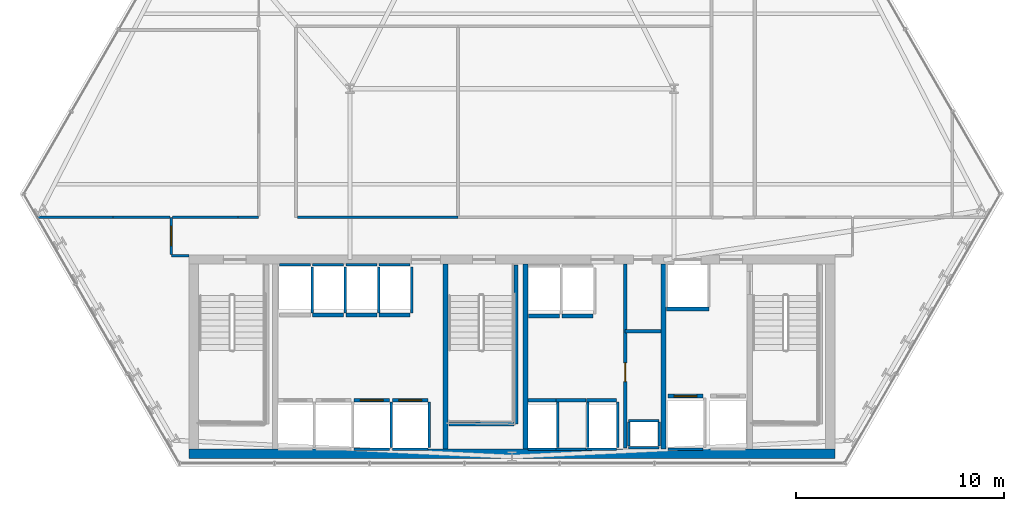
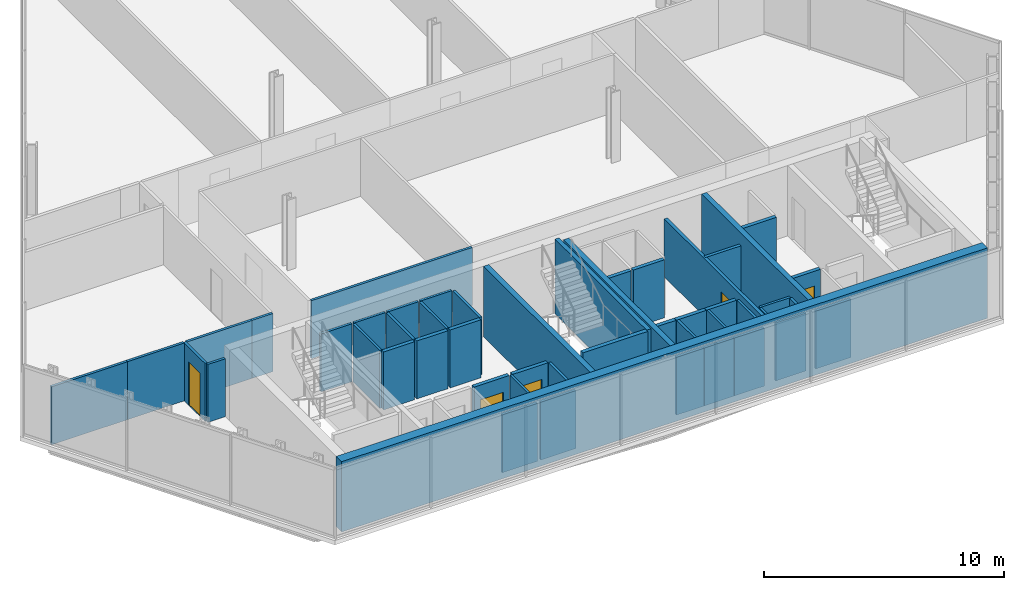
# One storey, part 27 of 32: 50 walls, 5 doors, 5 openings.
"""IFC4 building model written with IfcOpenShell, lengths in metres."""

from ifc_helpers import new_model, si_unit, direction, frame, frame_2d, origin, place, context, subcontext, project, spatial, rectangle, extrude, material, layer, layer_set, type_object, element, fill, save


model = new_model("IFC4")

# Units and contexts
model_context = context("Model", 3, precision=1e-05, world=origin(), true_north=direction((0.0, 1.0)))
body_context = subcontext(model_context, "Body", "Model", "MODEL_VIEW")
ifc_project = project(units=[si_unit("LENGTHUNIT", "METRE"), si_unit("AREAUNIT", "SQUARE_METRE"), si_unit("VOLUMEUNIT", "CUBIC_METRE"), si_unit("PLANEANGLEUNIT", "RADIAN"), si_unit("MASSUNIT", "GRAM", prefix="KILO")], contexts=[model_context])

# Site, building, storey
site_placement = place(None, origin())
site = spatial("IfcSite", under=ifc_project, at=site_placement, CompositionType="ELEMENT")
building_placement = place(site_placement, origin())
building = spatial("IfcBuilding", under=site, at=building_placement, Name="Ndaravel Arena Tower", CompositionType="ELEMENT")
storey_placement = place(building_placement, frame((0.0, 0.0, 74.0)))
storey = spatial("IfcBuildingStorey", under=building, at=storey_placement, Name="L16", CompositionType="ELEMENT", Elevation=74.0)

# Wall, opening, door
ifc_material_1 = material(Name="Gypsum", Category="gypsum")
ifc_layer_1 = layer(ifc_material_1, 0.14990234375)
ifc_layer_set_1 = layer_set([ifc_layer_1], Name="Gypsum")
wall_type_1 = type_object("IfcWallType", Name="WALL-COMP-150", PredefinedType="PARTITIONING", material=ifc_layer_set_1)
wall_1_placement = place(storey_placement, frame((47.449951171875, 5.89990234375, 0.0), z_axis=(0.0, 0.0, 1.0), x_axis=(0.0, 1.0, 0.0)))
wall_1 = element("IfcWall", 1, at=wall_1_placement, inside=storey, type_object=wall_type_1, Name="L16 Core Riser Bay Partition", PredefinedType="PARTITIONING", context=body_context, shape_type="SweptSolid", body=[
    extrude(rectangle(XDim=8.85009765625, YDim=0.14990234375, at=frame_2d((4.425048828125, 0.0))), origin(), (0.0, 0.0, 1.0), 2.949951171875),
])
opening_1_placement = place(wall_1_placement, frame((3.199951171875, 0.0, 0.0)))
opening_1 = element("IfcOpeningElement", 2, at=opening_1_placement, cuts=wall_1, Name="Opening RD-01", PredefinedType="OPENING", context=body_context, shape_type="SweptSolid", body=[
    extrude(rectangle(XDim=0.89990234375, YDim=2.10009765625, at=frame_2d((0.449951171875, 1.050048828125))), frame((0.0, 0.074951171875, 0.0), z_axis=(0.0, -1.0, 0.0), x_axis=(1.0, 0.0, 0.0)), (0.0, 0.0, 1.0), 0.14990234375),
])
ifc_material_2 = material(Name="Steel S355", Category="steel")
door_type_1 = type_object("IfcDoorType", Name="DT-08-RISER-900", OperationType="SINGLE_SWING_LEFT", PredefinedType="DOOR", material=ifc_material_2)
door_1_placement = place(opening_1_placement, origin())
door_1 = element("IfcDoor", 3, at=door_1_placement, inside=storey, type_object=door_type_1, Name="L16 Sub-Metering Closet Door", OperationType="SINGLE_SWING_LEFT", OverallHeight=2.10009765625, OverallWidth=0.89990234375, PredefinedType="DOOR", context=body_context, shape_type="SweptSolid", body=[
    extrude(rectangle(XDim=0.89990234375, YDim=2.10009765625, at=frame_2d((0.449951171875, 1.050048828125))), frame((0.0, 0.02490234375, 0.0), z_axis=(0.0, -1.0, 0.0), x_axis=(1.0, 0.0, 0.0)), (0.0, 0.0, 1.0), 0.050048828125),
])
fill(opening_1, door_1)

# Walls
wall_2_placement = place(storey_placement, frame((47.449951171875, 11.52001953125, 0.0), z_axis=(0.0, 0.0, 1.0), x_axis=(1.0, 0.0, 0.0)))
element("IfcWall", 4, at=wall_2_placement, inside=storey, type_object=wall_type_1, Name="L16 Core Riser Divider 1", PredefinedType="PARTITIONING", context=body_context, shape_type="SweptSolid", body=[
    extrude(rectangle(XDim=1.72998046875, YDim=0.14990234375, at=frame_2d((0.864990234375, 0.0))), origin(), (0.0, 0.0, 1.0), 2.949951171875),
])
ifc_material_3 = material(Name="Concrete C60/75", Category="concrete")
ifc_layer_2 = layer(ifc_material_3, 0.25)
ifc_layer_set_2 = layer_set([ifc_layer_2], Name="Concrete C60/75")
wall_type_2 = type_object("IfcWallType", Name="WALL-CORE-250", PredefinedType="SOLIDWALL", material=ifc_layer_set_2)
for number, where, z_axis, x_axis, name in (
    (5, (38.800048828125, 5.85009765625, 0.0), (0.0, 0.0, 1.0), (0.0, 1.0, 0.0), "L16 Core Web Shear Wall 2"),
    (6, (42.64990234375, 5.85009765625, 0.0), (0.0, 0.0, 1.0), (0.0, 1.0, 0.0), "L16 Core Web Shear Wall 3"),
    (7, (49.300048828125, 5.85009765625, 0.0), (0.0, 0.0, 1.0), (0.0, 1.0, 0.0), "L16 Core Web Shear Wall 4"),
):
    element("IfcWall", number, at=place(storey_placement, frame(where, z_axis=z_axis, x_axis=x_axis)), inside=storey, type_object=wall_type_2, Name=name, PredefinedType="SOLIDWALL", context=body_context, shape_type="SweptSolid", body=[
        extrude(rectangle(XDim=8.89990234375, YDim=0.25, at=frame_2d((4.449951171875, 0.0))), origin(), (0.0, 0.0, 1.0), 3.580078125),
    ])
ifc_material_4 = material(Name="Concrete C60/75", Category="concrete")
ifc_layer_3 = layer(ifc_material_4, 0.449951171875)
ifc_layer_set_3 = layer_set([ifc_layer_3], Name="Concrete C60/75")
wall_type_3 = type_object("IfcWallType", Name="WALL-CORE-450", PredefinedType="SOLIDWALL", material=ifc_layer_set_3)
wall_3_placement = place(storey_placement, frame((26.449951171875, 5.625, 0.0), z_axis=(0.0, 0.0, 1.0), x_axis=(1.0, 0.0, 0.0)))
element("IfcWall", 8, at=wall_3_placement, inside=storey, type_object=wall_type_3, Name="L16 Core South Shear Wall", PredefinedType="SOLIDWALL", context=body_context, shape_type="SweptSolid", body=[
    extrude(rectangle(XDim=31.10009765625, YDim=0.449951171875, at=frame_2d((15.550048828125, 0.0))), origin(), (0.0, 0.0, 1.0), 3.580078125),
])
ifc_material_5 = material(Name="Gypsum", Category="gypsum")
ifc_layer_4 = layer(ifc_material_5, 0.125)
ifc_layer_set_4 = layer_set([ifc_layer_4], Name="Gypsum")
wall_type_4 = type_object("IfcWallType", Name="WALL-PART-125", PredefinedType="PARTITIONING", material=ifc_layer_set_4)
wall_4_placement = place(storey_placement, frame((26.449951171875, 15.14990234375, 0.0), z_axis=(0.0, 0.0, 1.0), x_axis=(-1.0, 0.0, 0.0)))
element("IfcWall", 9, at=wall_4_placement, inside=storey, type_object=wall_type_4, Name="L16 Interior Partition 003", PredefinedType="PARTITIONING", context=body_context, shape_type="SweptSolid", body=[
    extrude(rectangle(XDim=0.849853515625, YDim=0.125, at=frame_2d((0.4248046875, 0.0))), origin(), (0.0, 0.0, 1.0), 2.949951171875),
])

# Wall, opening, door
wall_5_placement = place(storey_placement, frame((25.60009765625, 15.215087890625, 0.0), z_axis=(0.0, 0.0, 1.0), x_axis=(0.0, 1.0, 0.0)))
wall_5 = element("IfcWall", 10, at=wall_5_placement, inside=storey, type_object=wall_type_4, Name="L16 Interior Partition 004", PredefinedType="PARTITIONING", context=body_context, shape_type="SweptSolid", body=[
    extrude(rectangle(XDim=1.784912109375, YDim=0.125, at=frame_2d((0.892578125, 0.0))), origin(), (0.0, 0.0, 1.0), 2.949951171875),
])
opening_2_placement = place(wall_5_placement, frame((0.41748046875, 0.0, 0.0)))
opening_2 = element("IfcOpeningElement", 11, at=opening_2_placement, cuts=wall_5, Name="Opening ID-01", PredefinedType="OPENING", context=body_context, shape_type="SweptSolid", body=[
    extrude(rectangle(XDim=0.949951171875, YDim=2.199951171875, at=frame_2d((0.47509765625, 1.10009765625))), frame((0.0, 0.0625, 0.0), z_axis=(0.0, -1.0, 0.0), x_axis=(1.0, 0.0, 0.0)), (0.0, 0.0, 1.0), 0.125),
])
ifc_material_6 = material(Name="Timber", Category="wood")
door_type_2 = type_object("IfcDoorType", Name="DT-03-OFFICE-950", OperationType="SINGLE_SWING_LEFT", PredefinedType="DOOR", material=ifc_material_6)
door_2_placement = place(opening_2_placement, origin())
door_2 = element("IfcDoor", 12, at=door_2_placement, inside=storey, type_object=door_type_2, Name="L16 Open Plan Workplace Door", OperationType="SINGLE_SWING_LEFT", OverallHeight=2.199951171875, OverallWidth=0.949951171875, PredefinedType="DOOR", context=body_context, shape_type="SweptSolid", body=[
    extrude(rectangle(XDim=0.949951171875, YDim=2.199951171875, at=frame_2d((0.47509765625, 1.10009765625))), frame((0.0, 0.02490234375, 0.0), z_axis=(0.0, -1.0, 0.0), x_axis=(1.0, 0.0, 0.0)), (0.0, 0.0, 1.0), 0.050048828125),
])
fill(opening_2, door_2)

# Walls
wall_6_placement = place(storey_placement, frame((25.6650390625, 17.0, 0.0), z_axis=(0.0, 0.0, 1.0), x_axis=(1.0, 0.0, 0.0)))
element("IfcWall", 13, at=wall_6_placement, inside=storey, type_object=wall_type_4, Name="L16 Interior Partition 005", PredefinedType="PARTITIONING", context=body_context, shape_type="SweptSolid", body=[
    extrude(rectangle(XDim=3.135009765625, YDim=0.125, at=frame_2d((1.5673828125, 0.0))), origin(), (0.0, 0.0, 1.0), 2.949951171875),
])
wall_7_placement = place(storey_placement, frame((28.800048828125, 17.0, 0.0), z_axis=(0.0, 0.0, 1.0), x_axis=(1.0, 0.0, 0.0)))
element("IfcWall", 14, at=wall_7_placement, inside=storey, type_object=wall_type_4, Name="L16 Interior Partition 006", PredefinedType="PARTITIONING", context=body_context, shape_type="SweptSolid", body=[
    extrude(rectangle(XDim=1.0, YDim=0.125, at=frame_2d((0.5, 0.0))), origin(), (0.0, 0.0, 1.0), 2.949951171875),
])
wall_8_placement = place(storey_placement, frame((31.6650390625, 17.0, 0.0), z_axis=(0.0, 0.0, 1.0), x_axis=(1.0, 0.0, 0.0)))
element("IfcWall", 15, at=wall_8_placement, inside=storey, type_object=wall_type_4, Name="L16 Interior Partition 018", PredefinedType="PARTITIONING", context=body_context, shape_type="SweptSolid", body=[
    extrude(rectangle(XDim=7.73486328125, YDim=0.125, at=frame_2d((3.867431640625, 0.0))), origin(), (0.0, 0.0, 1.0), 2.949951171875),
])
wall_9_placement = place(storey_placement, frame((19.1494140625, 17.0, 0.0), z_axis=(0.0, 0.0, 1.0), x_axis=(1.0, 0.0, 0.0)))
element("IfcWall", 16, at=wall_9_placement, inside=storey, type_object=wall_type_4, Name="L16 Interior Partition 023", PredefinedType="PARTITIONING", context=body_context, shape_type="SweptSolid", body=[
    extrude(rectangle(XDim=3.650634765625, YDim=0.125, at=frame_2d((1.8251953125, 0.0))), origin(), (0.0, 0.0, 1.0), 2.949951171875),
])
wall_10_placement = place(storey_placement, frame((22.800048828125, 17.0, 0.0), z_axis=(0.0, 0.0, 1.0), x_axis=(1.0, 0.0, 0.0)))
element("IfcWall", 17, at=wall_10_placement, inside=storey, type_object=wall_type_4, Name="L16 Interior Partition 024", PredefinedType="PARTITIONING", context=body_context, shape_type="SweptSolid", body=[
    extrude(rectangle(XDim=2.73486328125, YDim=0.125, at=frame_2d((1.367431640625, 0.0))), origin(), (0.0, 0.0, 1.0), 2.949951171875),
])
ifc_material_7 = material(Name="Concrete C40/50", Category="concrete")
ifc_layer_5 = layer(ifc_material_7, 0.1201171875)
ifc_layer_set_5 = layer_set([ifc_layer_5], Name="Concrete C40/50")
wall_type_5 = type_object("IfcWallType", Name="WALL-SHAFT-120", PredefinedType="SOLIDWALL", material=ifc_layer_set_5)
for number, where, z_axis, x_axis, name in (
    (18, (47.6201171875, 5.919921875, 0.0), (0.0, 0.0, 1.0), (1.0, 0.0, 0.0), "L16 MEP Riser Shaft S Wall"),
    (19, (47.6201171875, 7.219970703125, 0.0), (0.0, 0.0, 1.0), (1.0, 0.0, 0.0), "L16 MEP Riser Shaft N Wall"),
):
    element("IfcWall", number, at=place(storey_placement, frame(where, z_axis=z_axis, x_axis=x_axis)), inside=storey, type_object=wall_type_5, Name=name, PredefinedType="SOLIDWALL", context=body_context, shape_type="SweptSolid", body=[
        extrude(rectangle(XDim=1.4599609375, YDim=0.1201171875, at=frame_2d((0.72998046875, 0.0))), origin(), (0.0, 0.0, 1.0), 2.949951171875),
    ])
for number, where, z_axis, x_axis, name in (
    (20, (47.6201171875, 6.0, 0.0), (0.0, 0.0, 1.0), (0.0, 1.0, 0.0), "L16 MEP Riser Shaft W Wall"),
    (21, (49.080078125, 6.0, 0.0), (0.0, 0.0, 1.0), (0.0, 1.0, 0.0), "L16 MEP Riser Shaft E Wall"),
):
    element("IfcWall", number, at=place(storey_placement, frame(where, z_axis=z_axis, x_axis=x_axis)), inside=storey, type_object=wall_type_5, Name=name, PredefinedType="SOLIDWALL", context=body_context, shape_type="SweptSolid", body=[
        extrude(rectangle(XDim=1.139892578125, YDim=0.1201171875, at=frame_2d((0.56982421875, 0.0))), origin(), (0.0, 0.0, 1.0), 2.949951171875),
    ])
wall_11_placement = place(storey_placement, frame((34.405029296875, 5.840087890625, 0.0), z_axis=(0.0, 0.0, 1.0), x_axis=(1.0, 0.0, 0.0)))
element("IfcWall", 22, at=wall_11_placement, inside=storey, type_object=wall_type_5, Name="L16 PL-L3 Shaft Rear Wall", PredefinedType="SOLIDWALL", context=body_context, shape_type="SweptSolid", body=[
    extrude(rectangle(XDim=1.68994140625, YDim=0.1201171875, at=frame_2d((0.844970703125, 0.0))), origin(), (0.0, 0.0, 1.0), 2.949951171875),
])
wall_12_placement = place(storey_placement, frame((36.175048828125, 5.929931640625, 0.0), z_axis=(0.0, 0.0, 1.0), x_axis=(0.0, 1.0, 0.0)))
element("IfcWall", 23, at=wall_12_placement, inside=storey, type_object=wall_type_5, Name="L16 PL-L3 Shaft Side R Wall", PredefinedType="SOLIDWALL", context=body_context, shape_type="SweptSolid", body=[
    extrude(rectangle(XDim=2.18017578125, YDim=0.1201171875, at=frame_2d((1.090087890625, 0.0))), origin(), (0.0, 0.0, 1.0), 2.949951171875),
])
wall_13_placement = place(storey_placement, frame((36.2548828125, 5.840087890625, 0.0), z_axis=(0.0, 0.0, 1.0), x_axis=(1.0, 0.0, 0.0)))
element("IfcWall", 24, at=wall_13_placement, inside=storey, type_object=wall_type_5, Name="L16 PL-L4 Shaft Rear Wall", PredefinedType="SOLIDWALL", context=body_context, shape_type="SweptSolid", body=[
    extrude(rectangle(XDim=1.690185546875, YDim=0.1201171875, at=frame_2d((0.84521484375, 0.0))), origin(), (0.0, 0.0, 1.0), 2.949951171875),
])
wall_14_placement = place(storey_placement, frame((38.02490234375, 5.929931640625, 0.0), z_axis=(0.0, 0.0, 1.0), x_axis=(0.0, 1.0, 0.0)))
element("IfcWall", 25, at=wall_14_placement, inside=storey, type_object=wall_type_5, Name="L16 PL-L4 Shaft Side R Wall", PredefinedType="SOLIDWALL", context=body_context, shape_type="SweptSolid", body=[
    extrude(rectangle(XDim=2.18017578125, YDim=0.1201171875, at=frame_2d((1.090087890625, 0.0))), origin(), (0.0, 0.0, 1.0), 2.949951171875),
])
wall_15_placement = place(storey_placement, frame((30.804931640625, 14.7099609375, 0.0), z_axis=(0.0, 0.0, 1.0), x_axis=(1.0, 0.0, 0.0)))
element("IfcWall", 26, at=wall_15_placement, inside=storey, type_object=wall_type_5, Name="L16 PL-M1 Shaft Rear Wall", PredefinedType="SOLIDWALL", context=body_context, shape_type="SweptSolid", body=[
    extrude(rectangle(XDim=1.489990234375, YDim=0.1201171875, at=frame_2d((0.7451171875, 0.0))), origin(), (0.0, 0.0, 1.0), 2.949951171875),
])
wall_16_placement = place(storey_placement, frame((32.375, 12.389892578125, 0.0), z_axis=(0.0, 0.0, 1.0), x_axis=(0.0, 1.0, 0.0)))
element("IfcWall", 27, at=wall_16_placement, inside=storey, type_object=wall_type_5, Name="L16 PL-M1 Shaft Side R Wall", PredefinedType="SOLIDWALL", context=body_context, shape_type="SweptSolid", body=[
    extrude(rectangle(XDim=2.230224609375, YDim=0.1201171875, at=frame_2d((1.115234375, 0.0))), origin(), (0.0, 0.0, 1.0), 2.949951171875),
])
wall_17_placement = place(storey_placement, frame((32.405029296875, 14.7099609375, 0.0), z_axis=(0.0, 0.0, 1.0), x_axis=(1.0, 0.0, 0.0)))
element("IfcWall", 28, at=wall_17_placement, inside=storey, type_object=wall_type_5, Name="L16 PL-M2 Shaft Rear Wall", PredefinedType="SOLIDWALL", context=body_context, shape_type="SweptSolid", body=[
    extrude(rectangle(XDim=1.489990234375, YDim=0.1201171875, at=frame_2d((0.7451171875, 0.0))), origin(), (0.0, 0.0, 1.0), 2.949951171875),
])
wall_18_placement = place(storey_placement, frame((33.97509765625, 12.389892578125, 0.0), z_axis=(0.0, 0.0, 1.0), x_axis=(0.0, 1.0, 0.0)))
element("IfcWall", 29, at=wall_18_placement, inside=storey, type_object=wall_type_5, Name="L16 PL-M2 Shaft Side R Wall", PredefinedType="SOLIDWALL", context=body_context, shape_type="SweptSolid", body=[
    extrude(rectangle(XDim=2.230224609375, YDim=0.1201171875, at=frame_2d((1.115234375, 0.0))), origin(), (0.0, 0.0, 1.0), 2.949951171875),
])
wall_19_placement = place(storey_placement, frame((34.0048828125, 14.7099609375, 0.0), z_axis=(0.0, 0.0, 1.0), x_axis=(1.0, 0.0, 0.0)))
element("IfcWall", 30, at=wall_19_placement, inside=storey, type_object=wall_type_5, Name="L16 PL-M3 Shaft Rear Wall", PredefinedType="SOLIDWALL", context=body_context, shape_type="SweptSolid", body=[
    extrude(rectangle(XDim=1.490234375, YDim=0.1201171875, at=frame_2d((0.7451171875, 0.0))), origin(), (0.0, 0.0, 1.0), 2.949951171875),
])
wall_20_placement = place(storey_placement, frame((35.574951171875, 12.389892578125, 0.0), z_axis=(0.0, 0.0, 1.0), x_axis=(0.0, 1.0, 0.0)))
element("IfcWall", 31, at=wall_20_placement, inside=storey, type_object=wall_type_5, Name="L16 PL-M3 Shaft Side R Wall", PredefinedType="SOLIDWALL", context=body_context, shape_type="SweptSolid", body=[
    extrude(rectangle(XDim=2.230224609375, YDim=0.1201171875, at=frame_2d((1.115234375, 0.0))), origin(), (0.0, 0.0, 1.0), 2.949951171875),
])
wall_21_placement = place(storey_placement, frame((35.60498046875, 14.7099609375, 0.0), z_axis=(0.0, 0.0, 1.0), x_axis=(1.0, 0.0, 0.0)))
element("IfcWall", 32, at=wall_21_placement, inside=storey, type_object=wall_type_5, Name="L16 PL-M4 Shaft Rear Wall", PredefinedType="SOLIDWALL", context=body_context, shape_type="SweptSolid", body=[
    extrude(rectangle(XDim=1.489990234375, YDim=0.1201171875, at=frame_2d((0.7451171875, 0.0))), origin(), (0.0, 0.0, 1.0), 2.949951171875),
])
wall_22_placement = place(storey_placement, frame((37.175048828125, 12.389892578125, 0.0), z_axis=(0.0, 0.0, 1.0), x_axis=(0.0, 1.0, 0.0)))
element("IfcWall", 33, at=wall_22_placement, inside=storey, type_object=wall_type_5, Name="L16 PL-M4 Shaft Side R Wall", PredefinedType="SOLIDWALL", context=body_context, shape_type="SweptSolid", body=[
    extrude(rectangle(XDim=2.230224609375, YDim=0.1201171875, at=frame_2d((1.115234375, 0.0))), origin(), (0.0, 0.0, 1.0), 2.949951171875),
])
wall_23_placement = place(storey_placement, frame((42.780029296875, 5.840087890625, 0.0), z_axis=(0.0, 0.0, 1.0), x_axis=(1.0, 0.0, 0.0)))
element("IfcWall", 34, at=wall_23_placement, inside=storey, type_object=wall_type_5, Name="L16 PL-H1 Shaft Rear Wall", PredefinedType="SOLIDWALL", context=body_context, shape_type="SweptSolid", body=[
    extrude(rectangle(XDim=1.340087890625, YDim=0.1201171875, at=frame_2d((0.669921875, 0.0))), origin(), (0.0, 0.0, 1.0), 2.949951171875),
])
wall_24_placement = place(storey_placement, frame((44.199951171875, 5.929931640625, 0.0), z_axis=(0.0, 0.0, 1.0), x_axis=(0.0, 1.0, 0.0)))
element("IfcWall", 35, at=wall_24_placement, inside=storey, type_object=wall_type_5, Name="L16 PL-H1 Shaft Side R Wall", PredefinedType="SOLIDWALL", context=body_context, shape_type="SweptSolid", body=[
    extrude(rectangle(XDim=2.18017578125, YDim=0.1201171875, at=frame_2d((1.090087890625, 0.0))), origin(), (0.0, 0.0, 1.0), 2.949951171875),
])
wall_25_placement = place(storey_placement, frame((44.1298828125, 5.840087890625, 0.0), z_axis=(0.0, 0.0, 1.0), x_axis=(1.0, 0.0, 0.0)))
element("IfcWall", 36, at=wall_25_placement, inside=storey, type_object=wall_type_5, Name="L16 PL-H2 Shaft Rear Wall", PredefinedType="SOLIDWALL", context=body_context, shape_type="SweptSolid", body=[
    extrude(rectangle(XDim=1.440185546875, YDim=0.1201171875, at=frame_2d((0.72021484375, 0.0))), origin(), (0.0, 0.0, 1.0), 2.949951171875),
])
wall_26_placement = place(storey_placement, frame((45.64990234375, 5.929931640625, 0.0), z_axis=(0.0, 0.0, 1.0), x_axis=(0.0, 1.0, 0.0)))
element("IfcWall", 37, at=wall_26_placement, inside=storey, type_object=wall_type_5, Name="L16 PL-H2 Shaft Side R Wall", PredefinedType="SOLIDWALL", context=body_context, shape_type="SweptSolid", body=[
    extrude(rectangle(XDim=2.18017578125, YDim=0.1201171875, at=frame_2d((1.090087890625, 0.0))), origin(), (0.0, 0.0, 1.0), 2.949951171875),
])
wall_27_placement = place(storey_placement, frame((45.580078125, 5.840087890625, 0.0), z_axis=(0.0, 0.0, 1.0), x_axis=(1.0, 0.0, 0.0)))
element("IfcWall", 38, at=wall_27_placement, inside=storey, type_object=wall_type_5, Name="L16 PL-H3 Shaft Rear Wall", PredefinedType="SOLIDWALL", context=body_context, shape_type="SweptSolid", body=[
    extrude(rectangle(XDim=1.43994140625, YDim=0.1201171875, at=frame_2d((0.719970703125, 0.0))), origin(), (0.0, 0.0, 1.0), 2.949951171875),
])
wall_28_placement = place(storey_placement, frame((47.10009765625, 5.929931640625, 0.0), z_axis=(0.0, 0.0, 1.0), x_axis=(0.0, 1.0, 0.0)))
element("IfcWall", 39, at=wall_28_placement, inside=storey, type_object=wall_type_5, Name="L16 PL-H3 Shaft Side R Wall", PredefinedType="SOLIDWALL", context=body_context, shape_type="SweptSolid", body=[
    extrude(rectangle(XDim=2.18017578125, YDim=0.1201171875, at=frame_2d((1.090087890625, 0.0))), origin(), (0.0, 0.0, 1.0), 2.949951171875),
])
wall_29_placement = place(storey_placement, frame((49.5048828125, 5.840087890625, 0.0), z_axis=(0.0, 0.0, 1.0), x_axis=(1.0, 0.0, 0.0)))
element("IfcWall", 40, at=wall_29_placement, inside=storey, type_object=wall_type_5, Name="L16 FFL-1 Shaft Rear Wall", PredefinedType="SOLIDWALL", context=body_context, shape_type="SweptSolid", body=[
    extrude(rectangle(XDim=1.690185546875, YDim=0.1201171875, at=frame_2d((0.84521484375, 0.0))), origin(), (0.0, 0.0, 1.0), 2.949951171875),
])
ifc_material_8 = material(Name="Concrete C40/50", Category="concrete")
ifc_layer_6 = layer(ifc_material_8, 0.199951171875)
ifc_layer_set_6 = layer_set([ifc_layer_6], Name="Concrete C40/50")
wall_type_6 = type_object("IfcWallType", Name="WALL-SHAFT-200", PredefinedType="SOLIDWALL", material=ifc_layer_set_6)
wall_30_placement = place(storey_placement, frame((42.18994140625, 14.699951171875, 0.0), z_axis=(0.0, 0.0, 1.0), x_axis=(0.0, -1.0, 0.0)))
element("IfcWall", 41, at=wall_30_placement, inside=storey, type_object=wall_type_6, Name="L16 ST-2 Structural Shaft Wall Right", PredefinedType="SOLIDWALL", context=body_context, shape_type="SweptSolid", body=[
    extrude(rectangle(XDim=7.64990234375, YDim=0.199951171875, at=frame_2d((3.824951171875, 0.0))), origin(), (0.0, 0.0, 1.0), 3.800048828125),
])
wall_31_placement = place(storey_placement, frame((38.969970703125, 7.050048828125, 0.0), z_axis=(0.0, 0.0, 1.0), x_axis=(1.0, 0.0, 0.0)))
element("IfcWall", 42, at=wall_31_placement, inside=storey, type_object=wall_type_6, Name="L16 ST-2 Structural Shaft Wall Far", PredefinedType="SOLIDWALL", context=body_context, shape_type="SweptSolid", body=[
    extrude(rectangle(XDim=3.114990234375, YDim=0.199951171875, at=frame_2d((1.5576171875, 0.0))), origin(), (0.0, 0.0, 1.0), 3.800048828125),
])

# Wall, opening, door
wall_32_placement = place(storey_placement, frame((34.405029296875, 8.199951171875, 0.0), z_axis=(0.0, 0.0, 1.0), x_axis=(1.0, 0.0, 0.0)))
wall_32 = element("IfcWall", 43, at=wall_32_placement, inside=storey, type_object=wall_type_6, Name="L16 PL-L3 Shaft Landing Wall", PredefinedType="SOLIDWALL", context=body_context, shape_type="SweptSolid", body=[
    extrude(rectangle(XDim=1.68994140625, YDim=0.179931640625, at=frame_2d((0.844970703125, 0.0))), origin(), (0.0, 0.0, 1.0), 2.949951171875),
])
opening_3_placement = place(wall_32_placement, frame((0.294921875, 0.0, 0.0)))
opening_3 = element("IfcOpeningElement", 44, at=opening_3_placement, cuts=wall_32, Name="Opening LD-01", PredefinedType="OPENING", context=body_context, shape_type="SweptSolid", body=[
    extrude(rectangle(XDim=1.10009765625, YDim=2.199951171875, at=frame_2d((0.550048828125, 1.10009765625))), frame((0.0, 0.08984375, 0.0), z_axis=(0.0, -1.0, 0.0), x_axis=(1.0, 0.0, 0.0)), (0.0, 0.0, 1.0), 0.179931640625),
])
ifc_material_9 = material(Name="Steel S355", Category="steel")
door_type_3 = type_object("IfcDoorType", Name="DT-06-LIFT-1100", OperationType="SLIDING_TO_LEFT", PredefinedType="DOOR", material=ifc_material_9)
door_3_placement = place(opening_3_placement, origin())
door_3 = element("IfcDoor", 45, at=door_3_placement, inside=storey, type_object=door_type_3, Name="L16 Lift PL-L3 Sliding Landing Door", OperationType="SLIDING_TO_LEFT", OverallHeight=2.199951171875, OverallWidth=1.10009765625, PredefinedType="DOOR", context=body_context, shape_type="SweptSolid", body=[
    extrude(rectangle(XDim=1.10009765625, YDim=2.199951171875, at=frame_2d((0.550048828125, 1.10009765625))), frame((0.0, 0.02490234375, 0.0), z_axis=(0.0, -1.0, 0.0), x_axis=(1.0, 0.0, 0.0)), (0.0, 0.0, 1.0), 0.050048828125),
])
fill(opening_3, door_3)

wall_33_placement = place(storey_placement, frame((36.2548828125, 8.199951171875, 0.0), z_axis=(0.0, 0.0, 1.0), x_axis=(1.0, 0.0, 0.0)))
wall_33 = element("IfcWall", 46, at=wall_33_placement, inside=storey, type_object=wall_type_6, Name="L16 PL-L4 Shaft Landing Wall", PredefinedType="SOLIDWALL", context=body_context, shape_type="SweptSolid", body=[
    extrude(rectangle(XDim=1.690185546875, YDim=0.179931640625, at=frame_2d((0.84521484375, 0.0))), origin(), (0.0, 0.0, 1.0), 2.949951171875),
])
opening_4_placement = place(wall_33_placement, frame((0.294921875, 0.0, 0.0)))
opening_4 = element("IfcOpeningElement", 47, at=opening_4_placement, cuts=wall_33, Name="Opening LD-01", PredefinedType="OPENING", context=body_context, shape_type="SweptSolid", body=[
    extrude(rectangle(XDim=1.10009765625, YDim=2.199951171875, at=frame_2d((0.550048828125, 1.10009765625))), frame((0.0, 0.08984375, 0.0), z_axis=(0.0, -1.0, 0.0), x_axis=(1.0, 0.0, 0.0)), (0.0, 0.0, 1.0), 0.179931640625),
])
door_4_placement = place(opening_4_placement, origin())
door_4 = element("IfcDoor", 48, at=door_4_placement, inside=storey, type_object=door_type_3, Name="L16 Lift PL-L4 Sliding Landing Door", OperationType="SLIDING_TO_LEFT", OverallHeight=2.199951171875, OverallWidth=1.10009765625, PredefinedType="DOOR", context=body_context, shape_type="SweptSolid", body=[
    extrude(rectangle(XDim=1.10009765625, YDim=2.199951171875, at=frame_2d((0.550048828125, 1.10009765625))), frame((0.0, 0.02490234375, 0.0), z_axis=(0.0, -1.0, 0.0), x_axis=(1.0, 0.0, 0.0)), (0.0, 0.0, 1.0), 0.050048828125),
])
fill(opening_4, door_4)

# Walls
wall_34_placement = place(storey_placement, frame((32.405029296875, 12.300048828125, 0.0), z_axis=(0.0, 0.0, 1.0), x_axis=(1.0, 0.0, 0.0)))
element("IfcWall", 49, at=wall_34_placement, inside=storey, type_object=wall_type_6, Name="L16 PL-M2 Shaft Landing Wall", PredefinedType="SOLIDWALL", context=body_context, shape_type="SweptSolid", body=[
    extrude(rectangle(XDim=1.489990234375, YDim=0.179931640625, at=frame_2d((0.7451171875, 0.0))), origin(), (0.0, 0.0, 1.0), 2.949951171875),
])
wall_35_placement = place(storey_placement, frame((34.0048828125, 12.300048828125, 0.0), z_axis=(0.0, 0.0, 1.0), x_axis=(1.0, 0.0, 0.0)))
element("IfcWall", 50, at=wall_35_placement, inside=storey, type_object=wall_type_6, Name="L16 PL-M3 Shaft Landing Wall", PredefinedType="SOLIDWALL", context=body_context, shape_type="SweptSolid", body=[
    extrude(rectangle(XDim=1.490234375, YDim=0.179931640625, at=frame_2d((0.7451171875, 0.0))), origin(), (0.0, 0.0, 1.0), 2.949951171875),
])
wall_36_placement = place(storey_placement, frame((35.60498046875, 12.300048828125, 0.0), z_axis=(0.0, 0.0, 1.0), x_axis=(1.0, 0.0, 0.0)))
element("IfcWall", 51, at=wall_36_placement, inside=storey, type_object=wall_type_6, Name="L16 PL-M4 Shaft Landing Wall", PredefinedType="SOLIDWALL", context=body_context, shape_type="SweptSolid", body=[
    extrude(rectangle(XDim=1.489990234375, YDim=0.179931640625, at=frame_2d((0.7451171875, 0.0))), origin(), (0.0, 0.0, 1.0), 2.949951171875),
])
wall_37_placement = place(storey_placement, frame((42.780029296875, 8.199951171875, 0.0), z_axis=(0.0, 0.0, 1.0), x_axis=(1.0, 0.0, 0.0)))
element("IfcWall", 52, at=wall_37_placement, inside=storey, type_object=wall_type_6, Name="L16 PL-H1 Shaft Landing Wall", PredefinedType="SOLIDWALL", context=body_context, shape_type="SweptSolid", body=[
    extrude(rectangle(XDim=1.340087890625, YDim=0.179931640625, at=frame_2d((0.669921875, 0.0))), origin(), (0.0, 0.0, 1.0), 2.949951171875),
])
wall_38_placement = place(storey_placement, frame((44.1298828125, 8.199951171875, 0.0), z_axis=(0.0, 0.0, 1.0), x_axis=(1.0, 0.0, 0.0)))
element("IfcWall", 53, at=wall_38_placement, inside=storey, type_object=wall_type_6, Name="L16 PL-H2 Shaft Landing Wall", PredefinedType="SOLIDWALL", context=body_context, shape_type="SweptSolid", body=[
    extrude(rectangle(XDim=1.440185546875, YDim=0.179931640625, at=frame_2d((0.72021484375, 0.0))), origin(), (0.0, 0.0, 1.0), 2.949951171875),
])
wall_39_placement = place(storey_placement, frame((45.580078125, 8.199951171875, 0.0), z_axis=(0.0, 0.0, 1.0), x_axis=(1.0, 0.0, 0.0)))
element("IfcWall", 54, at=wall_39_placement, inside=storey, type_object=wall_type_6, Name="L16 PL-H3 Shaft Landing Wall", PredefinedType="SOLIDWALL", context=body_context, shape_type="SweptSolid", body=[
    extrude(rectangle(XDim=1.43994140625, YDim=0.179931640625, at=frame_2d((0.719970703125, 0.0))), origin(), (0.0, 0.0, 1.0), 2.949951171875),
])
for number, where, z_axis, x_axis, name in (
    (55, (42.804931640625, 12.25, 0.0), (0.0, 0.0, 1.0), (1.0, 0.0, 0.0), "L16 PL-OBS1 Shaft Landing Wall"),
    (56, (44.405029296875, 12.25, 0.0), (0.0, 0.0, 1.0), (1.0, 0.0, 0.0), "L16 PL-OBS2 Shaft Landing Wall"),
):
    element("IfcWall", number, at=place(storey_placement, frame(where, z_axis=z_axis, x_axis=x_axis)), inside=storey, type_object=wall_type_6, Name=name, PredefinedType="SOLIDWALL", context=body_context, shape_type="SweptSolid", body=[
        extrude(rectangle(XDim=1.489990234375, YDim=0.179931640625, at=frame_2d((0.7451171875, 0.0))), origin(), (0.0, 0.0, 1.0), 2.949951171875),
    ])

# Wall, opening, door
wall_40_placement = place(storey_placement, frame((49.5048828125, 8.39990234375, 0.0), z_axis=(0.0, 0.0, 1.0), x_axis=(1.0, 0.0, 0.0)))
wall_40 = element("IfcWall", 57, at=wall_40_placement, inside=storey, type_object=wall_type_6, Name="L16 FFL-1 Shaft Landing Wall", PredefinedType="SOLIDWALL", context=body_context, shape_type="SweptSolid", body=[
    extrude(rectangle(XDim=1.690185546875, YDim=0.179931640625, at=frame_2d((0.84521484375, 0.0))), origin(), (0.0, 0.0, 1.0), 2.949951171875),
])
opening_5_placement = place(wall_40_placement, frame((0.294921875, 0.0, 0.0)))
opening_5 = element("IfcOpeningElement", 58, at=opening_5_placement, cuts=wall_40, Name="Opening LD-01", PredefinedType="OPENING", context=body_context, shape_type="SweptSolid", body=[
    extrude(rectangle(XDim=1.10009765625, YDim=2.199951171875, at=frame_2d((0.550048828125, 1.10009765625))), frame((0.0, 0.08984375, 0.0), z_axis=(0.0, -1.0, 0.0), x_axis=(1.0, 0.0, 0.0)), (0.0, 0.0, 1.0), 0.179931640625),
])
door_5_placement = place(opening_5_placement, origin())
door_5 = element("IfcDoor", 59, at=door_5_placement, inside=storey, type_object=door_type_3, Name="L16 Lift FFL-1 Sliding Landing Door", OperationType="SLIDING_TO_LEFT", OverallHeight=2.199951171875, OverallWidth=1.10009765625, PredefinedType="DOOR", context=body_context, shape_type="SweptSolid", body=[
    extrude(rectangle(XDim=1.10009765625, YDim=2.199951171875, at=frame_2d((0.550048828125, 1.10009765625))), frame((0.0, 0.02490234375, 0.0), z_axis=(0.0, -1.0, 0.0), x_axis=(1.0, 0.0, 0.0)), (0.0, 0.0, 1.0), 0.050048828125),
])
fill(opening_5, door_5)

# Wall
wall_41_placement = place(storey_placement, frame((49.43994140625, 12.594970703125, 0.0), z_axis=(0.0, 0.0, 1.0), x_axis=(1.0, 0.0, 0.0)))
element("IfcWall", 60, at=wall_41_placement, inside=storey, type_object=wall_type_6, Name="L16 SVL-1 Shaft South Wall", PredefinedType="SOLIDWALL", context=body_context, shape_type="SweptSolid", body=[
    extrude(rectangle(XDim=2.0400390625, YDim=0.179931640625, at=frame_2d((1.02001953125, 0.0))), origin(), (0.0, 0.0, 1.0), 2.949951171875),
])

save(model, "model.ifc")
